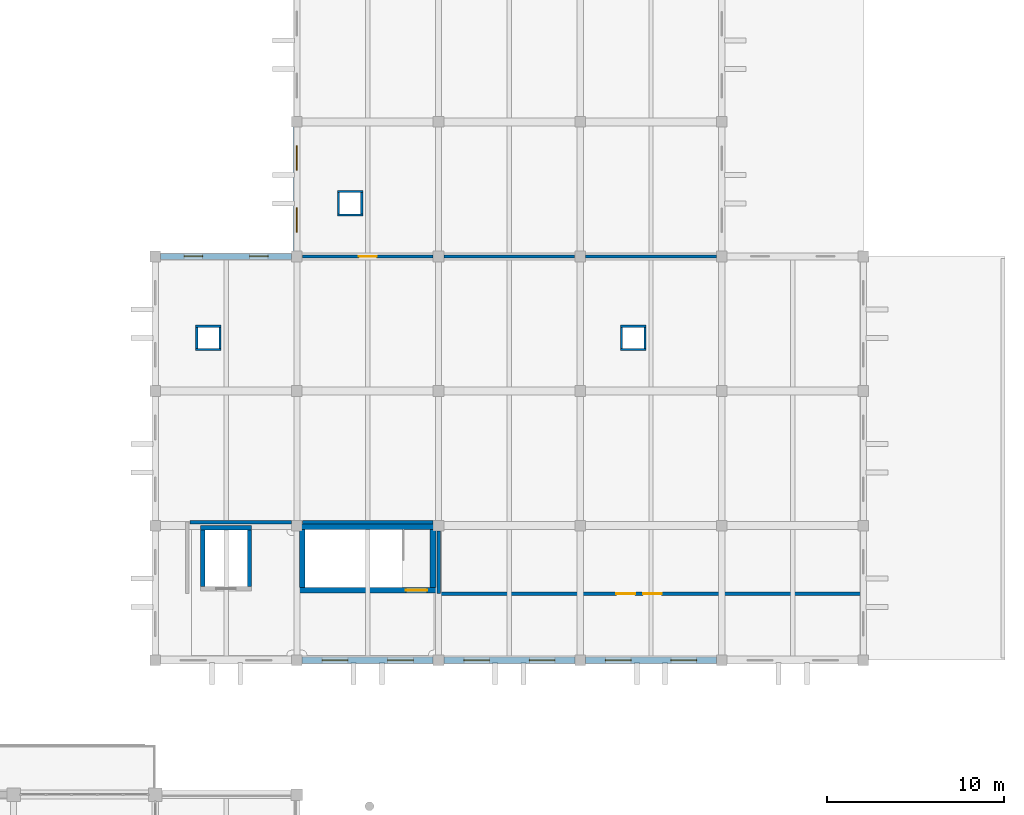
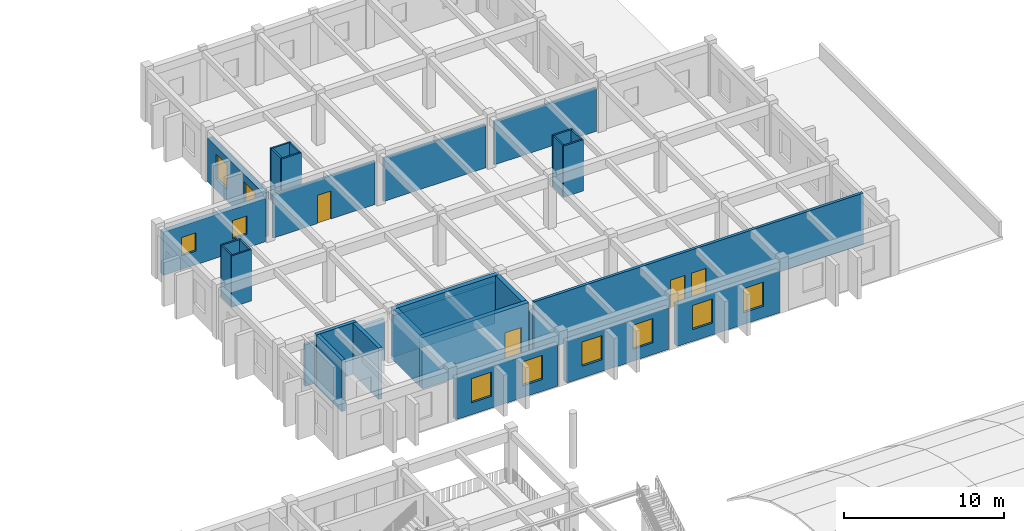
# One storey, part 41 of 63: 31 walls, 10 windows, 4 doors, 14 openings.
"""IFC4 building model written with IfcOpenShell, lengths in metres."""

from ifc_helpers import new_model, si_unit, direction, frame, frame_2d, origin, place, context, subcontext, project, spatial, rectangle, extrude, material, layer, layer_set, type_object, element, fill, save


model = new_model("IFC4")

# Units and contexts
model_context = context("Model", 3, precision=1e-05, world=origin(), true_north=direction((0.0, 1.0)))
body_context = subcontext(model_context, "Body", "Model", "MODEL_VIEW")
ifc_project = project(units=[si_unit("LENGTHUNIT", "METRE"), si_unit("AREAUNIT", "SQUARE_METRE"), si_unit("VOLUMEUNIT", "CUBIC_METRE"), si_unit("PLANEANGLEUNIT", "RADIAN"), si_unit("MASSUNIT", "GRAM", prefix="KILO")], contexts=[model_context])

# Site, building, storey
site_placement = place(None, origin())
site = spatial("IfcSite", under=ifc_project, at=site_placement, CompositionType="ELEMENT")
building_placement = place(site_placement, origin())
building = spatial("IfcBuilding", under=site, at=building_placement, Name="Zantavel Square City Hall", CompositionType="ELEMENT")
storey_placement = place(building_placement, frame((0.0, 0.0, 14.699951171875)))
storey = spatial("IfcBuildingStorey", under=building, at=storey_placement, Name="L04", CompositionType="ELEMENT", Elevation=14.699951171875)

# Wall, opening, door
ifc_material_1 = material(Name="Concrete C40/50", Category="concrete")
ifc_layer_1 = layer(ifc_material_1, 0.320068359375, Name="Concrete C40/50")
ifc_layer_set_1 = layer_set([ifc_layer_1], Name="Concrete C40/50")
wall_type_1 = type_object("IfcWallType", Name="Core Shear Wall RC 320mm C40/50", PredefinedType="SHEAR", material=ifc_layer_set_1)
wall_1_placement = place(storey_placement, frame((119.85009765625, 79.93994140625, 0.0), z_axis=(0.0, 0.0, 1.0), x_axis=(-1.0, 0.0, 0.0)))
wall_1 = element("IfcWall", 1, at=wall_1_placement, inside=storey, type_object=wall_type_1, Name="L04 Exit Stair 2 North-East Core Shear Wall South", PredefinedType="SHEAR", context=body_context, shape_type="SweptSolid", body=[
    extrude(rectangle(XDim=7.7001953125, YDim=0.320068359375, at=frame_2d((3.85009765625, 0.0))), origin(), (0.0, 0.0, 1.0), 3.929931640625),
])
opening_1_placement = place(wall_1_placement, frame((0.5, 0.0, 0.0)))
opening_1 = element("IfcOpeningElement", 2, at=opening_1_placement, cuts=wall_1, Name="Opening SD-011", PredefinedType="OPENING", context=body_context, shape_type="SweptSolid", body=[
    extrude(rectangle(XDim=1.199951171875, YDim=2.199951171875, at=frame_2d((0.60009765625, 1.10009765625))), frame((0.0, 0.169921875, 0.0), z_axis=(0.0, -1.0, 0.0), x_axis=(1.0, 0.0, 0.0)), (0.0, 0.0, 1.0), 0.340087890625),
])
ifc_material_2 = material(Name="Steel ASTM A500 Grade B", Category="steel")
door_type_1 = type_object("IfcDoorType", Name="Enclosed Exit Stairwell Fire Door 1200x2200 FD90S", OperationType="NOTDEFINED", PredefinedType="DOOR", material=ifc_material_2)
door_1_placement = place(opening_1_placement, origin())
door_1 = element("IfcDoor", 3, at=door_1_placement, inside=storey, type_object=door_type_1, Name="L04 Exit Stair 2 North-East Core Fire Door", OperationType="SINGLE_SWING_LEFT", OverallHeight=2.199951171875, OverallWidth=1.199951171875, PredefinedType="DOOR", context=body_context, shape_type="SweptSolid", body=[
    extrude(rectangle(XDim=1.199951171875, YDim=2.199951171875, at=frame_2d((0.60009765625, 1.10009765625))), frame((0.0, 0.02490234375, 0.0), z_axis=(0.0, -1.0, 0.0), x_axis=(1.0, 0.0, 0.0)), (0.0, 0.0, 1.0), 0.050048828125),
])
fill(opening_1, door_1)

# Walls
wall_2_placement = place(storey_placement, frame((112.31005859375, 80.10009765625, 0.0), z_axis=(0.0, 0.0, 1.0), x_axis=(0.0, 1.0, 0.0)))
element("IfcWall", 4, at=wall_2_placement, inside=storey, type_object=wall_type_1, Name="L04 Exit Stair 2 North-East Core Shear Wall West", PredefinedType="SHEAR", context=body_context, shape_type="SweptSolid", body=[
    extrude(rectangle(XDim=3.27001953125, YDim=0.320068359375, at=frame_2d((1.635009765625, 0.0))), origin(), (0.0, 0.0, 1.0), 3.929931640625),
])
wall_3_placement = place(storey_placement, frame((112.14990234375, 83.530029296875, 0.0), z_axis=(0.0, 0.0, 1.0), x_axis=(1.0, 0.0, 0.0)))
element("IfcWall", 5, at=wall_3_placement, inside=storey, type_object=wall_type_1, Name="L04 Exit Stair 2 North-East Core Shear Wall North", PredefinedType="SHEAR", context=body_context, shape_type="SweptSolid", body=[
    extrude(rectangle(XDim=7.7001953125, YDim=0.320068359375, at=frame_2d((3.85009765625, 0.0))), origin(), (0.0, 0.0, 1.0), 3.929931640625),
])
wall_4_placement = place(storey_placement, frame((119.68994140625, 83.3701171875, 0.0), z_axis=(0.0, 0.0, 1.0), x_axis=(0.0, -1.0, 0.0)))
element("IfcWall", 6, at=wall_4_placement, inside=storey, type_object=wall_type_1, Name="L04 Exit Stair 2 North-East Core Shear Wall East", PredefinedType="SHEAR", context=body_context, shape_type="SweptSolid", body=[
    extrude(rectangle(XDim=3.27001953125, YDim=0.320068359375, at=frame_2d((1.635009765625, 0.0))), origin(), (0.0, 0.0, 1.0), 3.929931640625),
])

# Wall, openings, windows
ifc_material_3 = material(Name="Cantera volcanic tuff stone", Category="masonry")
ifc_layer_2 = layer(ifc_material_3, 0.360107421875, Name="Cantera volcanic tuff stone")
ifc_layer_set_2 = layer_set([ifc_layer_2], Name="Cantera volcanic tuff stone")
wall_type_2 = type_object("IfcWallType", Name="Courtyard Cantera Facade Wall 360mm", PredefinedType="STANDARD", material=ifc_layer_set_2)
wall_5_placement = place(storey_placement, frame((112.0, 99.10009765625, 0.0), z_axis=(0.0, 0.0, 1.0), x_axis=(0.0, 1.0, 0.0)))
wall_5 = element("IfcWall", 7, at=wall_5_placement, inside=storey, type_object=wall_type_2, Name="L04 Exterior Wall EW-L04-044", PredefinedType="STANDARD", context=body_context, shape_type="SweptSolid", body=[
    extrude(rectangle(XDim=7.0, YDim=0.360107421875, at=frame_2d((3.5, 0.0))), origin(), (0.0, 0.0, 1.0), 3.3701171875),
])
opening_2_placement = place(wall_5_placement, frame((1.06005859375, 0.0, 0.89990234375)))
opening_2 = element("IfcOpeningElement", 8, at=opening_2_placement, cuts=wall_5, Name="Opening W-466", PredefinedType="OPENING", context=body_context, shape_type="SweptSolid", body=[
    extrude(rectangle(XDim=1.3798828125, YDim=1.8798828125, at=frame_2d((0.68994140625, 0.93994140625))), frame((0.0, 0.18994140625, 0.0), z_axis=(0.0, -1.0, 0.0), x_axis=(1.0, 0.0, 0.0)), (0.0, 0.0, 1.0), 0.380126953125),
])
opening_3_placement = place(wall_5_placement, frame((4.56005859375, 0.0, 0.89990234375)))
opening_3 = element("IfcOpeningElement", 9, at=opening_3_placement, cuts=wall_5, Name="Opening W-467", PredefinedType="OPENING", context=body_context, shape_type="SweptSolid", body=[
    extrude(rectangle(XDim=1.3798828125, YDim=1.8798828125, at=frame_2d((0.68994140625, 0.93994140625))), frame((0.0, 0.18994140625, 0.0), z_axis=(0.0, -1.0, 0.0), x_axis=(1.0, 0.0, 0.0)), (0.0, 0.0, 1.0), 0.380126953125),
])
ifc_material_4 = material(Name="Tempered safety glass low-E double glazing", Category="glass")
window_type_1 = type_object("IfcWindowType", Name="Window Legal Counsel 1380x1880", PartitioningType="DOUBLE_PANEL_VERTICAL", PredefinedType="WINDOW", material=ifc_material_4)
window_1_placement = place(opening_2_placement, origin())
window_1 = element("IfcWindow", 10, at=window_1_placement, inside=storey, type_object=window_type_1, Name="L04 Window W-466", OverallHeight=1.8798828125, OverallWidth=1.3798828125, PartitioningType="DOUBLE_PANEL_VERTICAL", PredefinedType="WINDOW", context=body_context, shape_type="SweptSolid", body=[
    extrude(rectangle(XDim=1.3798828125, YDim=1.8798828125, at=frame_2d((0.68994140625, 0.93994140625))), frame((0.0, 0.030029296875, 0.0), z_axis=(0.0, -1.0, 0.0), x_axis=(1.0, 0.0, 0.0)), (0.0, 0.0, 1.0), 0.06005859375),
])
fill(opening_2, window_1)
window_2_placement = place(opening_3_placement, origin())
window_2 = element("IfcWindow", 11, at=window_2_placement, inside=storey, type_object=window_type_1, Name="L04 Window W-467", OverallHeight=1.8798828125, OverallWidth=1.3798828125, PartitioningType="DOUBLE_PANEL_VERTICAL", PredefinedType="WINDOW", context=body_context, shape_type="SweptSolid", body=[
    extrude(rectangle(XDim=1.3798828125, YDim=1.8798828125, at=frame_2d((0.68994140625, 0.93994140625))), frame((0.0, 0.030029296875, 0.0), z_axis=(0.0, -1.0, 0.0), x_axis=(1.0, 0.0, 0.0)), (0.0, 0.0, 1.0), 0.06005859375),
])
fill(opening_3, window_2)

wall_6_placement = place(storey_placement, frame((135.699951171875, 76.0, 0.0), z_axis=(0.0, 0.0, 1.0), x_axis=(-1.0, 0.0, 0.0)))
wall_6 = element("IfcWall", 12, at=wall_6_placement, inside=storey, type_object=wall_type_2, Name="L04 Exterior Wall EW-L04-058", PredefinedType="STANDARD", context=body_context, shape_type="SweptSolid", body=[
    extrude(rectangle(XDim=7.39990234375, YDim=0.360107421875, at=frame_2d((3.699951171875, 0.0))), origin(), (0.0, 0.0, 1.0), 3.170166015625),
])
opening_4_placement = place(wall_6_placement, frame((1.125, 0.0, 0.89990234375)))
opening_4 = element("IfcOpeningElement", 13, at=opening_4_placement, cuts=wall_6, Name="Opening W-490", PredefinedType="OPENING", context=body_context, shape_type="SweptSolid", body=[
    extrude(rectangle(XDim=1.449951171875, YDim=1.85009765625, at=frame_2d((0.72509765625, 0.925048828125))), frame((0.0, 0.18994140625, 0.0), z_axis=(0.0, -1.0, 0.0), x_axis=(1.0, 0.0, 0.0)), (0.0, 0.0, 1.0), 0.380126953125),
])
opening_5_placement = place(wall_6_placement, frame((4.824951171875, 0.0, 0.89990234375)))
opening_5 = element("IfcOpeningElement", 14, at=opening_5_placement, cuts=wall_6, Name="Opening W-491", PredefinedType="OPENING", context=body_context, shape_type="SweptSolid", body=[
    extrude(rectangle(XDim=1.449951171875, YDim=1.85009765625, at=frame_2d((0.72509765625, 0.925048828125))), frame((0.0, 0.18994140625, 0.0), z_axis=(0.0, -1.0, 0.0), x_axis=(1.0, 0.0, 0.0)), (0.0, 0.0, 1.0), 0.380126953125),
])
window_type_2 = type_object("IfcWindowType", Name="Window Secretariat South 1450x1850", PartitioningType="DOUBLE_PANEL_VERTICAL", PredefinedType="WINDOW", material=ifc_material_4)
window_3_placement = place(opening_4_placement, origin())
window_3 = element("IfcWindow", 15, at=window_3_placement, inside=storey, type_object=window_type_2, Name="L04 Window W-490", OverallHeight=1.85009765625, OverallWidth=1.449951171875, PartitioningType="DOUBLE_PANEL_VERTICAL", PredefinedType="WINDOW", context=body_context, shape_type="SweptSolid", body=[
    extrude(rectangle(XDim=1.449951171875, YDim=1.85009765625, at=frame_2d((0.72509765625, 0.925048828125))), frame((0.0, 0.030029296875, 0.0), z_axis=(0.0, -1.0, 0.0), x_axis=(1.0, 0.0, 0.0)), (0.0, 0.0, 1.0), 0.06005859375),
])
fill(opening_4, window_3)
window_4_placement = place(opening_5_placement, origin())
window_4 = element("IfcWindow", 16, at=window_4_placement, inside=storey, type_object=window_type_2, Name="L04 Window W-491", OverallHeight=1.85009765625, OverallWidth=1.449951171875, PartitioningType="DOUBLE_PANEL_VERTICAL", PredefinedType="WINDOW", context=body_context, shape_type="SweptSolid", body=[
    extrude(rectangle(XDim=1.449951171875, YDim=1.85009765625, at=frame_2d((0.72509765625, 0.925048828125))), frame((0.0, 0.030029296875, 0.0), z_axis=(0.0, -1.0, 0.0), x_axis=(1.0, 0.0, 0.0)), (0.0, 0.0, 1.0), 0.06005859375),
])
fill(opening_5, window_4)

wall_7_placement = place(storey_placement, frame((127.699951171875, 76.0, 0.0), z_axis=(0.0, 0.0, 1.0), x_axis=(-1.0, 0.0, 0.0)))
wall_7 = element("IfcWall", 17, at=wall_7_placement, inside=storey, type_object=wall_type_2, Name="L04 Exterior Wall EW-L04-059", PredefinedType="STANDARD", context=body_context, shape_type="SweptSolid", body=[
    extrude(rectangle(XDim=7.39990234375, YDim=0.360107421875, at=frame_2d((3.699951171875, 0.0))), origin(), (0.0, 0.0, 1.0), 3.170166015625),
])
opening_6_placement = place(wall_7_placement, frame((1.125, 0.0, 0.89990234375)))
opening_6 = element("IfcOpeningElement", 18, at=opening_6_placement, cuts=wall_7, Name="Opening W-492", PredefinedType="OPENING", context=body_context, shape_type="SweptSolid", body=[
    extrude(rectangle(XDim=1.449951171875, YDim=1.85009765625, at=frame_2d((0.72509765625, 0.925048828125))), frame((0.0, 0.18994140625, 0.0), z_axis=(0.0, -1.0, 0.0), x_axis=(1.0, 0.0, 0.0)), (0.0, 0.0, 1.0), 0.380126953125),
])
opening_7_placement = place(wall_7_placement, frame((4.824951171875, 0.0, 0.89990234375)))
opening_7 = element("IfcOpeningElement", 19, at=opening_7_placement, cuts=wall_7, Name="Opening W-493", PredefinedType="OPENING", context=body_context, shape_type="SweptSolid", body=[
    extrude(rectangle(XDim=1.449951171875, YDim=1.85009765625, at=frame_2d((0.72509765625, 0.925048828125))), frame((0.0, 0.18994140625, 0.0), z_axis=(0.0, -1.0, 0.0), x_axis=(1.0, 0.0, 0.0)), (0.0, 0.0, 1.0), 0.380126953125),
])
window_5_placement = place(opening_6_placement, origin())
window_5 = element("IfcWindow", 20, at=window_5_placement, inside=storey, type_object=window_type_2, Name="L04 Window W-492", OverallHeight=1.85009765625, OverallWidth=1.449951171875, PartitioningType="DOUBLE_PANEL_VERTICAL", PredefinedType="WINDOW", context=body_context, shape_type="SweptSolid", body=[
    extrude(rectangle(XDim=1.449951171875, YDim=1.85009765625, at=frame_2d((0.72509765625, 0.925048828125))), frame((0.0, 0.030029296875, 0.0), z_axis=(0.0, -1.0, 0.0), x_axis=(1.0, 0.0, 0.0)), (0.0, 0.0, 1.0), 0.06005859375),
])
fill(opening_6, window_5)
window_6_placement = place(opening_7_placement, origin())
window_6 = element("IfcWindow", 21, at=window_6_placement, inside=storey, type_object=window_type_2, Name="L04 Window W-493", OverallHeight=1.85009765625, OverallWidth=1.449951171875, PartitioningType="DOUBLE_PANEL_VERTICAL", PredefinedType="WINDOW", context=body_context, shape_type="SweptSolid", body=[
    extrude(rectangle(XDim=1.449951171875, YDim=1.85009765625, at=frame_2d((0.72509765625, 0.925048828125))), frame((0.0, 0.030029296875, 0.0), z_axis=(0.0, -1.0, 0.0), x_axis=(1.0, 0.0, 0.0)), (0.0, 0.0, 1.0), 0.06005859375),
])
fill(opening_7, window_6)

wall_8_placement = place(storey_placement, frame((119.699951171875, 76.0, 0.0), z_axis=(0.0, 0.0, 1.0), x_axis=(-1.0, 0.0, 0.0)))
wall_8 = element("IfcWall", 22, at=wall_8_placement, inside=storey, type_object=wall_type_2, Name="L04 Exterior Wall EW-L04-060", PredefinedType="STANDARD", context=body_context, shape_type="SweptSolid", body=[
    extrude(rectangle(XDim=7.39990234375, YDim=0.360107421875, at=frame_2d((3.699951171875, 0.0))), origin(), (0.0, 0.0, 1.0), 3.170166015625),
])
opening_8_placement = place(wall_8_placement, frame((1.125, 0.0, 0.89990234375)))
opening_8 = element("IfcOpeningElement", 23, at=opening_8_placement, cuts=wall_8, Name="Opening W-494", PredefinedType="OPENING", context=body_context, shape_type="SweptSolid", body=[
    extrude(rectangle(XDim=1.449951171875, YDim=1.85009765625, at=frame_2d((0.72509765625, 0.925048828125))), frame((0.0, 0.18994140625, 0.0), z_axis=(0.0, -1.0, 0.0), x_axis=(1.0, 0.0, 0.0)), (0.0, 0.0, 1.0), 0.380126953125),
])
opening_9_placement = place(wall_8_placement, frame((4.824951171875, 0.0, 0.89990234375)))
opening_9 = element("IfcOpeningElement", 24, at=opening_9_placement, cuts=wall_8, Name="Opening W-495", PredefinedType="OPENING", context=body_context, shape_type="SweptSolid", body=[
    extrude(rectangle(XDim=1.449951171875, YDim=1.85009765625, at=frame_2d((0.72509765625, 0.925048828125))), frame((0.0, 0.18994140625, 0.0), z_axis=(0.0, -1.0, 0.0), x_axis=(1.0, 0.0, 0.0)), (0.0, 0.0, 1.0), 0.380126953125),
])
window_7_placement = place(opening_8_placement, origin())
window_7 = element("IfcWindow", 25, at=window_7_placement, inside=storey, type_object=window_type_2, Name="L04 Window W-494", OverallHeight=1.85009765625, OverallWidth=1.449951171875, PartitioningType="DOUBLE_PANEL_VERTICAL", PredefinedType="WINDOW", context=body_context, shape_type="SweptSolid", body=[
    extrude(rectangle(XDim=1.449951171875, YDim=1.85009765625, at=frame_2d((0.72509765625, 0.925048828125))), frame((0.0, 0.030029296875, 0.0), z_axis=(0.0, -1.0, 0.0), x_axis=(1.0, 0.0, 0.0)), (0.0, 0.0, 1.0), 0.06005859375),
])
fill(opening_8, window_7)
window_8_placement = place(opening_9_placement, origin())
window_8 = element("IfcWindow", 26, at=window_8_placement, inside=storey, type_object=window_type_2, Name="L04 Window W-495", OverallHeight=1.85009765625, OverallWidth=1.449951171875, PartitioningType="DOUBLE_PANEL_VERTICAL", PredefinedType="WINDOW", context=body_context, shape_type="SweptSolid", body=[
    extrude(rectangle(XDim=1.449951171875, YDim=1.85009765625, at=frame_2d((0.72509765625, 0.925048828125))), frame((0.0, 0.030029296875, 0.0), z_axis=(0.0, -1.0, 0.0), x_axis=(1.0, 0.0, 0.0)), (0.0, 0.0, 1.0), 0.06005859375),
])
fill(opening_9, window_8)

# Wall, opening, door
ifc_material_5 = material(Name="Gypsum acoustic stud assembly", Category="masonry")
ifc_layer_3 = layer(ifc_material_5, 0.14990234375, Name="Gypsum acoustic stud assembly")
ifc_layer_set_3 = layer_set([ifc_layer_3], Name="Gypsum acoustic stud assembly")
wall_type_3 = type_object("IfcWallType", Name="Department Office Partition 150mm", PredefinedType="PARTITIONING", material=ifc_layer_set_3)
wall_9_placement = place(storey_placement, frame((112.31005859375, 98.800048828125, 0.0), z_axis=(0.0, 0.0, 1.0), x_axis=(1.0, 0.0, 0.0)))
wall_9 = element("IfcWall", 27, at=wall_9_placement, inside=storey, type_object=wall_type_3, Name="L04 Interior Wall IW-L04-0323", PredefinedType="PARTITIONING", context=body_context, shape_type="SweptSolid", body=[
    extrude(rectangle(XDim=7.3798828125, YDim=0.14990234375, at=frame_2d((3.68994140625, 0.0))), origin(), (0.0, 0.0, 1.0), 3.320068359375),
])
opening_10_placement = place(wall_9_placement, frame((3.18994140625, 0.0, 0.0)))
opening_10 = element("IfcOpeningElement", 28, at=opening_10_placement, cuts=wall_9, Name="Opening D-0155", PredefinedType="OPENING", context=body_context, shape_type="SweptSolid", body=[
    extrude(rectangle(XDim=1.0, YDim=2.14990234375, at=frame_2d((0.5, 1.074951171875))), frame((0.0, 0.0849609375, 0.0), z_axis=(0.0, -1.0, 0.0), x_axis=(1.0, 0.0, 0.0)), (0.0, 0.0, 1.0), 0.169921875),
])
ifc_material_6 = material(Name="Solid oak hardwood", Category="wood")
door_type_2 = type_object("IfcDoorType", Name="Suite Internal Oak Single Door 1000x2150", OperationType="NOTDEFINED", PredefinedType="DOOR", material=ifc_material_6)
door_2_placement = place(opening_10_placement, origin())
door_2 = element("IfcDoor", 29, at=door_2_placement, inside=storey, type_object=door_type_2, Name="L04 Municipal Legal Counsel Office Door", OperationType="SINGLE_SWING_LEFT", OverallHeight=2.14990234375, OverallWidth=1.0, PredefinedType="DOOR", context=body_context, shape_type="SweptSolid", body=[
    extrude(rectangle(XDim=1.0, YDim=2.14990234375, at=frame_2d((0.5, 1.074951171875))), frame((0.0, 0.02490234375, 0.0), z_axis=(0.0, -1.0, 0.0), x_axis=(1.0, 0.0, 0.0)), (0.0, 0.0, 1.0), 0.050048828125),
])
fill(opening_10, door_2)

# Walls
for number, where, z_axis, x_axis, name in (
    (30, (120.31005859375, 98.800048828125, 0.0), (0.0, 0.0, 1.0), (1.0, 0.0, 0.0), "L04 Interior Wall IW-L04-0324"),
    (31, (128.31005859375, 98.800048828125, 0.0), (0.0, 0.0, 1.0), (1.0, 0.0, 0.0), "L04 Interior Wall IW-L04-0325"),
):
    element("IfcWall", number, at=place(storey_placement, frame(where, z_axis=z_axis, x_axis=x_axis)), inside=storey, type_object=wall_type_3, Name=name, PredefinedType="PARTITIONING", context=body_context, shape_type="SweptSolid", body=[
        extrude(rectangle(XDim=7.3798828125, YDim=0.14990234375, at=frame_2d((3.68994140625, 0.0))), origin(), (0.0, 0.0, 1.0), 3.320068359375),
    ])
ifc_layer_4 = layer(ifc_material_3, 0.199951171875, Name="Cantera volcanic tuff stone")
ifc_layer_set_4 = layer_set([ifc_layer_4], Name="Cantera volcanic tuff stone")
wall_type_4 = type_object("IfcWallType", Name="Exit Corridor Rated Wall 200mm", PredefinedType="STANDARD", material=ifc_layer_set_4)
wall_10_placement = place(storey_placement, frame((105.949951171875, 83.800048828125, 0.0), z_axis=(0.0, 0.0, 1.0), x_axis=(1.0, 0.0, 0.0)))
element("IfcWall", 32, at=wall_10_placement, inside=storey, type_object=wall_type_4, Name="L04 Interior Wall IW-L04-0303", PredefinedType="STANDARD", context=body_context, shape_type="SweptSolid", body=[
    extrude(rectangle(XDim=5.739990234375, YDim=0.199951171875, at=frame_2d((2.8701171875, 0.0))), origin(), (0.0, 0.0, 1.0), 3.170166015625),
])
wall_11_placement = place(storey_placement, frame((112.31005859375, 83.800048828125, 0.0), z_axis=(0.0, 0.0, 1.0), x_axis=(1.0, 0.0, 0.0)))
element("IfcWall", 33, at=wall_11_placement, inside=storey, type_object=wall_type_4, Name="L04 Interior Wall IW-L04-0304", PredefinedType="STANDARD", context=body_context, shape_type="SweptSolid", body=[
    extrude(rectangle(XDim=7.3798828125, YDim=0.199951171875, at=frame_2d((3.68994140625, 0.0))), origin(), (0.0, 0.0, 1.0), 3.170166015625),
])
wall_12_placement = place(storey_placement, frame((120.0, 83.2900390625, 0.0), z_axis=(0.0, 0.0, 1.0), x_axis=(0.0, -1.0, 0.0)))
element("IfcWall", 34, at=wall_12_placement, inside=storey, type_object=wall_type_4, Name="L04 Interior Wall IW-L04-0305", PredefinedType="STANDARD", context=body_context, shape_type="SweptSolid", body=[
    extrude(rectangle(XDim=3.5400390625, YDim=0.199951171875, at=frame_2d((1.77001953125, 0.0))), origin(), (0.0, 0.0, 1.0), 3.3701171875),
])

# Wall, openings, doors
wall_13_placement = place(storey_placement, frame((144.0, 79.75, 0.0), z_axis=(0.0, 0.0, 1.0), x_axis=(-1.0, 0.0, 0.0)))
wall_13 = element("IfcWall", 35, at=wall_13_placement, inside=storey, type_object=wall_type_4, Name="L04 Interior Wall IW-L04-0326", PredefinedType="STANDARD", context=body_context, shape_type="SweptSolid", body=[
    extrude(rectangle(XDim=23.85009765625, YDim=0.199951171875, at=frame_2d((11.925048828125, 0.0))), origin(), (0.0, 0.0, 1.0), 3.929931640625),
])
opening_11_placement = place(wall_13_placement, frame((11.39990234375, 0.0, 0.0)))
opening_11 = element("IfcOpeningElement", 36, at=opening_11_placement, cuts=wall_13, Name="Opening D-0151", PredefinedType="OPENING", context=body_context, shape_type="SweptSolid", body=[
    extrude(rectangle(XDim=1.050048828125, YDim=2.14990234375, at=frame_2d((0.52490234375, 1.074951171875))), frame((0.0, 0.10986328125, 0.0), z_axis=(0.0, -1.0, 0.0), x_axis=(1.0, 0.0, 0.0)), (0.0, 0.0, 1.0), 0.219970703125),
])
opening_12_placement = place(wall_13_placement, frame((12.89990234375, 0.0, 0.0)))
opening_12 = element("IfcOpeningElement", 37, at=opening_12_placement, cuts=wall_13, Name="Opening D-0156", PredefinedType="OPENING", context=body_context, shape_type="SweptSolid", body=[
    extrude(rectangle(XDim=1.050048828125, YDim=2.14990234375, at=frame_2d((0.52490234375, 1.074951171875))), frame((0.0, 0.10986328125, 0.0), z_axis=(0.0, -1.0, 0.0), x_axis=(1.0, 0.0, 0.0)), (0.0, 0.0, 1.0), 0.219970703125),
])
door_type_3 = type_object("IfcDoorType", Name="Corridor Office Oak Fire Door 1050x2150 FD60S", OperationType="NOTDEFINED", PredefinedType="DOOR", material=ifc_material_6)
door_3_placement = place(opening_11_placement, origin())
door_3 = element("IfcDoor", 38, at=door_3_placement, inside=storey, type_object=door_type_3, Name="L04 Municipal Secretariat Door", OperationType="SINGLE_SWING_LEFT", OverallHeight=2.14990234375, OverallWidth=1.050048828125, PredefinedType="DOOR", context=body_context, shape_type="SweptSolid", body=[
    extrude(rectangle(XDim=1.050048828125, YDim=2.14990234375, at=frame_2d((0.52490234375, 1.074951171875))), frame((0.0, 0.02490234375, 0.0), z_axis=(0.0, -1.0, 0.0), x_axis=(1.0, 0.0, 0.0)), (0.0, 0.0, 1.0), 0.050048828125),
])
fill(opening_11, door_3)
door_4_placement = place(opening_12_placement, origin())
door_4 = element("IfcDoor", 39, at=door_4_placement, inside=storey, type_object=door_type_3, Name="L04 Municipal Secretariat Door", OperationType="SINGLE_SWING_RIGHT", OverallHeight=2.14990234375, OverallWidth=1.050048828125, PredefinedType="DOOR", context=body_context, shape_type="SweptSolid", body=[
    extrude(rectangle(XDim=1.050048828125, YDim=2.14990234375, at=frame_2d((0.52490234375, 1.074951171875))), frame((0.0, 0.02490234375, 0.0), z_axis=(0.0, -1.0, 0.0), x_axis=(1.0, 0.0, 0.0)), (0.0, 0.0, 1.0), 0.050048828125),
])
fill(opening_12, door_4)

# Walls
ifc_layer_5 = layer(ifc_material_1, 0.25, Name="Concrete C40/50")
ifc_layer_set_5 = layer_set([ifc_layer_5], Name="Concrete C40/50")
wall_type_5 = type_object("IfcWallType", Name="Lift Shaft Wall RC 250mm C40/50", PredefinedType="SHEAR", material=ifc_layer_set_5)
wall_14_placement = place(storey_placement, frame((106.675048828125, 80.14990234375, 0.0), z_axis=(0.0, 0.0, 1.0), x_axis=(0.0, 1.0, 0.0)))
element("IfcWall", 40, at=wall_14_placement, inside=storey, type_object=wall_type_5, Name="L04 Lift LF06 Shaft Wall West", PredefinedType="SHEAR", context=body_context, shape_type="SweptSolid", body=[
    extrude(rectangle(XDim=3.2001953125, YDim=0.25, at=frame_2d((1.60009765625, 0.0))), origin(), (0.0, 0.0, 1.0), 3.929931640625),
])
wall_15_placement = place(storey_placement, frame((106.550048828125, 83.47509765625, 0.0), z_axis=(0.0, 0.0, 1.0), x_axis=(1.0, 0.0, 0.0)))
element("IfcWall", 41, at=wall_15_placement, inside=storey, type_object=wall_type_5, Name="L04 Lift LF06 Shaft Wall North", PredefinedType="SHEAR", context=body_context, shape_type="SweptSolid", body=[
    extrude(rectangle(XDim=2.89990234375, YDim=0.25, at=frame_2d((1.449951171875, 0.0))), origin(), (0.0, 0.0, 1.0), 3.929931640625),
])
wall_16_placement = place(storey_placement, frame((109.324951171875, 83.35009765625, 0.0), z_axis=(0.0, 0.0, 1.0), x_axis=(0.0, -1.0, 0.0)))
element("IfcWall", 42, at=wall_16_placement, inside=storey, type_object=wall_type_5, Name="L04 Lift LF06 Shaft Wall East", PredefinedType="SHEAR", context=body_context, shape_type="SweptSolid", body=[
    extrude(rectangle(XDim=3.2001953125, YDim=0.25, at=frame_2d((1.60009765625, 0.0))), origin(), (0.0, 0.0, 1.0), 3.929931640625),
])

# Wall, openings, windows
ifc_layer_6 = layer(ifc_material_3, 0.340087890625, Name="Cantera volcanic tuff stone")
ifc_layer_set_6 = layer_set([ifc_layer_6], Name="Cantera volcanic tuff stone")
wall_type_6 = type_object("IfcWallType", Name="North Insulated Cantera Wall 340mm", PredefinedType="STANDARD", material=ifc_layer_set_6)
wall_17_placement = place(storey_placement, frame((104.300048828125, 98.800048828125, 0.0), z_axis=(0.0, 0.0, 1.0), x_axis=(1.0, 0.0, 0.0)))
wall_17 = element("IfcWall", 43, at=wall_17_placement, inside=storey, type_object=wall_type_6, Name="L04 Exterior Wall EW-L04-065", PredefinedType="STANDARD", context=body_context, shape_type="SweptSolid", body=[
    extrude(rectangle(XDim=7.39990234375, YDim=0.340087890625, at=frame_2d((3.699951171875, 0.0))), origin(), (0.0, 0.0, 1.0), 3.320068359375),
])
opening_13_placement = place(wall_17_placement, frame((1.324951171875, 0.0, 1.050048828125)))
opening_13 = element("IfcOpeningElement", 44, at=opening_13_placement, cuts=wall_17, Name="Opening W-504", PredefinedType="OPENING", context=body_context, shape_type="SweptSolid", body=[
    extrude(rectangle(XDim=1.050048828125, YDim=1.39990234375, at=frame_2d((0.52490234375, 0.699951171875))), frame((0.0, 0.179931640625, 0.0), z_axis=(0.0, -1.0, 0.0), x_axis=(1.0, 0.0, 0.0)), (0.0, 0.0, 1.0), 0.360107421875),
])
opening_14_placement = place(wall_17_placement, frame((5.02490234375, 0.0, 1.050048828125)))
opening_14 = element("IfcOpeningElement", 45, at=opening_14_placement, cuts=wall_17, Name="Opening W-505", PredefinedType="OPENING", context=body_context, shape_type="SweptSolid", body=[
    extrude(rectangle(XDim=1.050048828125, YDim=1.39990234375, at=frame_2d((0.52490234375, 0.699951171875))), frame((0.0, 0.179931640625, 0.0), z_axis=(0.0, -1.0, 0.0), x_axis=(1.0, 0.0, 0.0)), (0.0, 0.0, 1.0), 0.360107421875),
])
window_type_3 = type_object("IfcWindowType", Name="Window C4 Command North 1050x1400", PartitioningType="SINGLE_PANEL", PredefinedType="WINDOW", material=ifc_material_4)
window_9_placement = place(opening_13_placement, origin())
window_9 = element("IfcWindow", 46, at=window_9_placement, inside=storey, type_object=window_type_3, Name="L04 Window W-504", OverallHeight=1.39990234375, OverallWidth=1.050048828125, PartitioningType="SINGLE_PANEL", PredefinedType="WINDOW", context=body_context, shape_type="SweptSolid", body=[
    extrude(rectangle(XDim=1.050048828125, YDim=1.39990234375, at=frame_2d((0.52490234375, 0.699951171875))), frame((0.0, 0.030029296875, 0.0), z_axis=(0.0, -1.0, 0.0), x_axis=(1.0, 0.0, 0.0)), (0.0, 0.0, 1.0), 0.06005859375),
])
fill(opening_13, window_9)
window_10_placement = place(opening_14_placement, origin())
window_10 = element("IfcWindow", 47, at=window_10_placement, inside=storey, type_object=window_type_3, Name="L04 Window W-505", OverallHeight=1.39990234375, OverallWidth=1.050048828125, PartitioningType="SINGLE_PANEL", PredefinedType="WINDOW", context=body_context, shape_type="SweptSolid", body=[
    extrude(rectangle(XDim=1.050048828125, YDim=1.39990234375, at=frame_2d((0.52490234375, 0.699951171875))), frame((0.0, 0.030029296875, 0.0), z_axis=(0.0, -1.0, 0.0), x_axis=(1.0, 0.0, 0.0)), (0.0, 0.0, 1.0), 0.06005859375),
])
fill(opening_14, window_10)

# Walls
ifc_material_7 = material(Name="Concrete C35/45", Category="concrete")
ifc_layer_7 = layer(ifc_material_7, 0.1201171875, Name="Concrete C35/45")
ifc_layer_set_7 = layer_set([ifc_layer_7], Name="Concrete C35/45")
wall_type_7 = type_object("IfcWallType", Name="Riser Chase Wall RC 120mm C35/45", PredefinedType="PARTITIONING", material=ifc_layer_set_7)
wall_18_placement = place(storey_placement, frame((107.719970703125, 93.5400390625, 0.0), z_axis=(0.0, 0.0, 1.0), x_axis=(-1.0, 0.0, 0.0)))
element("IfcWall", 48, at=wall_18_placement, inside=storey, type_object=wall_type_7, Name="L04 MEP Riser 04 Wall S", PredefinedType="PARTITIONING", context=body_context, shape_type="SweptSolid", body=[
    extrude(rectangle(XDim=1.43994140625, YDim=0.1201171875, at=frame_2d((0.719970703125, 0.0))), origin(), (0.0, 0.0, 1.0), 3.929931640625),
])
wall_19_placement = place(storey_placement, frame((106.340087890625, 93.60009765625, 0.0), z_axis=(0.0, 0.0, 1.0), x_axis=(0.0, 1.0, 0.0)))
element("IfcWall", 49, at=wall_19_placement, inside=storey, type_object=wall_type_7, Name="L04 MEP Riser 04 Wall W", PredefinedType="PARTITIONING", context=body_context, shape_type="SweptSolid", body=[
    extrude(rectangle(XDim=1.199951171875, YDim=0.1201171875, at=frame_2d((0.60009765625, 0.0))), origin(), (0.0, 0.0, 1.0), 3.929931640625),
])
wall_20_placement = place(storey_placement, frame((106.280029296875, 94.860107421875, 0.0), z_axis=(0.0, 0.0, 1.0), x_axis=(1.0, 0.0, 0.0)))
element("IfcWall", 50, at=wall_20_placement, inside=storey, type_object=wall_type_7, Name="L04 MEP Riser 04 Wall N", PredefinedType="PARTITIONING", context=body_context, shape_type="SweptSolid", body=[
    extrude(rectangle(XDim=1.43994140625, YDim=0.1201171875, at=frame_2d((0.719970703125, 0.0))), origin(), (0.0, 0.0, 1.0), 3.929931640625),
])
wall_21_placement = place(storey_placement, frame((107.659912109375, 94.800048828125, 0.0), z_axis=(0.0, 0.0, 1.0), x_axis=(0.0, -1.0, 0.0)))
element("IfcWall", 51, at=wall_21_placement, inside=storey, type_object=wall_type_7, Name="L04 MEP Riser 04 Wall E", PredefinedType="PARTITIONING", context=body_context, shape_type="SweptSolid", body=[
    extrude(rectangle(XDim=1.199951171875, YDim=0.1201171875, at=frame_2d((0.60009765625, 0.0))), origin(), (0.0, 0.0, 1.0), 3.929931640625),
])
wall_22_placement = place(storey_placement, frame((131.719970703125, 93.5400390625, 0.0), z_axis=(0.0, 0.0, 1.0), x_axis=(-1.0, 0.0, 0.0)))
element("IfcWall", 52, at=wall_22_placement, inside=storey, type_object=wall_type_7, Name="L04 MEP Riser 05 Wall S", PredefinedType="PARTITIONING", context=body_context, shape_type="SweptSolid", body=[
    extrude(rectangle(XDim=1.43994140625, YDim=0.1201171875, at=frame_2d((0.719970703125, 0.0))), origin(), (0.0, 0.0, 1.0), 3.929931640625),
])
wall_23_placement = place(storey_placement, frame((130.340087890625, 93.60009765625, 0.0), z_axis=(0.0, 0.0, 1.0), x_axis=(0.0, 1.0, 0.0)))
element("IfcWall", 53, at=wall_23_placement, inside=storey, type_object=wall_type_7, Name="L04 MEP Riser 05 Wall W", PredefinedType="PARTITIONING", context=body_context, shape_type="SweptSolid", body=[
    extrude(rectangle(XDim=1.199951171875, YDim=0.1201171875, at=frame_2d((0.60009765625, 0.0))), origin(), (0.0, 0.0, 1.0), 3.929931640625),
])
wall_24_placement = place(storey_placement, frame((130.280029296875, 94.860107421875, 0.0), z_axis=(0.0, 0.0, 1.0), x_axis=(1.0, 0.0, 0.0)))
element("IfcWall", 54, at=wall_24_placement, inside=storey, type_object=wall_type_7, Name="L04 MEP Riser 05 Wall N", PredefinedType="PARTITIONING", context=body_context, shape_type="SweptSolid", body=[
    extrude(rectangle(XDim=1.43994140625, YDim=0.1201171875, at=frame_2d((0.719970703125, 0.0))), origin(), (0.0, 0.0, 1.0), 3.929931640625),
])
wall_25_placement = place(storey_placement, frame((131.659912109375, 94.800048828125, 0.0), z_axis=(0.0, 0.0, 1.0), x_axis=(0.0, -1.0, 0.0)))
element("IfcWall", 55, at=wall_25_placement, inside=storey, type_object=wall_type_7, Name="L04 MEP Riser 05 Wall E", PredefinedType="PARTITIONING", context=body_context, shape_type="SweptSolid", body=[
    extrude(rectangle(XDim=1.199951171875, YDim=0.1201171875, at=frame_2d((0.60009765625, 0.0))), origin(), (0.0, 0.0, 1.0), 3.929931640625),
])
wall_26_placement = place(storey_placement, frame((115.719970703125, 101.139892578125, 0.0), z_axis=(0.0, 0.0, 1.0), x_axis=(-1.0, 0.0, 0.0)))
element("IfcWall", 56, at=wall_26_placement, inside=storey, type_object=wall_type_7, Name="L04 MEP Riser 06 Wall S", PredefinedType="PARTITIONING", context=body_context, shape_type="SweptSolid", body=[
    extrude(rectangle(XDim=1.43994140625, YDim=0.1201171875, at=frame_2d((0.719970703125, 0.0))), origin(), (0.0, 0.0, 1.0), 3.929931640625),
])
wall_27_placement = place(storey_placement, frame((114.340087890625, 101.199951171875, 0.0), z_axis=(0.0, 0.0, 1.0), x_axis=(0.0, 1.0, 0.0)))
element("IfcWall", 57, at=wall_27_placement, inside=storey, type_object=wall_type_7, Name="L04 MEP Riser 06 Wall W", PredefinedType="PARTITIONING", context=body_context, shape_type="SweptSolid", body=[
    extrude(rectangle(XDim=1.199951171875, YDim=0.1201171875, at=frame_2d((0.60009765625, 0.0))), origin(), (0.0, 0.0, 1.0), 3.929931640625),
])
wall_28_placement = place(storey_placement, frame((114.280029296875, 102.4599609375, 0.0), z_axis=(0.0, 0.0, 1.0), x_axis=(1.0, 0.0, 0.0)))
element("IfcWall", 58, at=wall_28_placement, inside=storey, type_object=wall_type_7, Name="L04 MEP Riser 06 Wall N", PredefinedType="PARTITIONING", context=body_context, shape_type="SweptSolid", body=[
    extrude(rectangle(XDim=1.43994140625, YDim=0.1201171875, at=frame_2d((0.719970703125, 0.0))), origin(), (0.0, 0.0, 1.0), 3.929931640625),
])
wall_29_placement = place(storey_placement, frame((115.659912109375, 102.39990234375, 0.0), z_axis=(0.0, 0.0, 1.0), x_axis=(0.0, -1.0, 0.0)))
element("IfcWall", 59, at=wall_29_placement, inside=storey, type_object=wall_type_7, Name="L04 MEP Riser 06 Wall E", PredefinedType="PARTITIONING", context=body_context, shape_type="SweptSolid", body=[
    extrude(rectangle(XDim=1.199951171875, YDim=0.1201171875, at=frame_2d((0.60009765625, 0.0))), origin(), (0.0, 0.0, 1.0), 3.929931640625),
])

save(model, "model.ifc")
